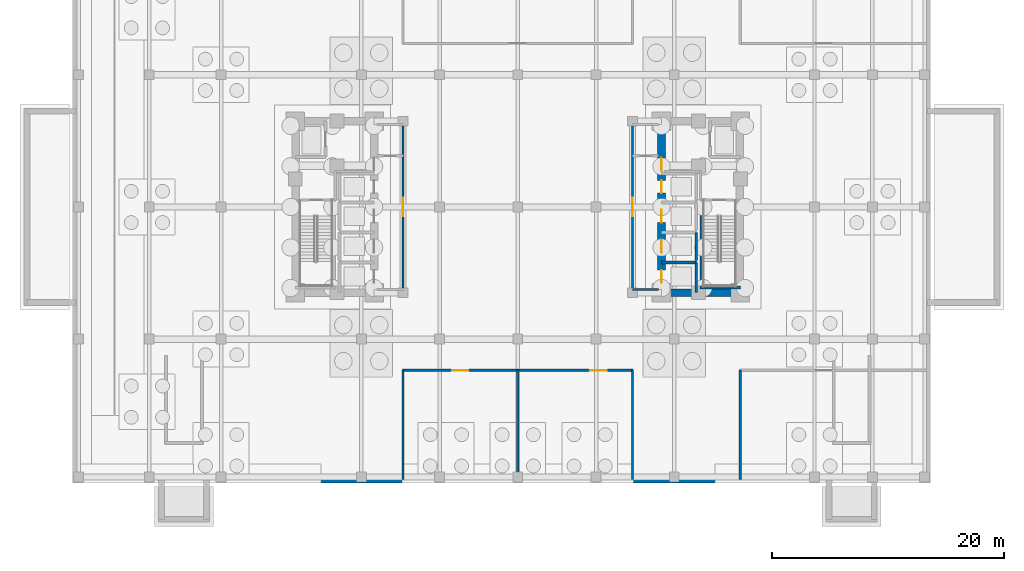
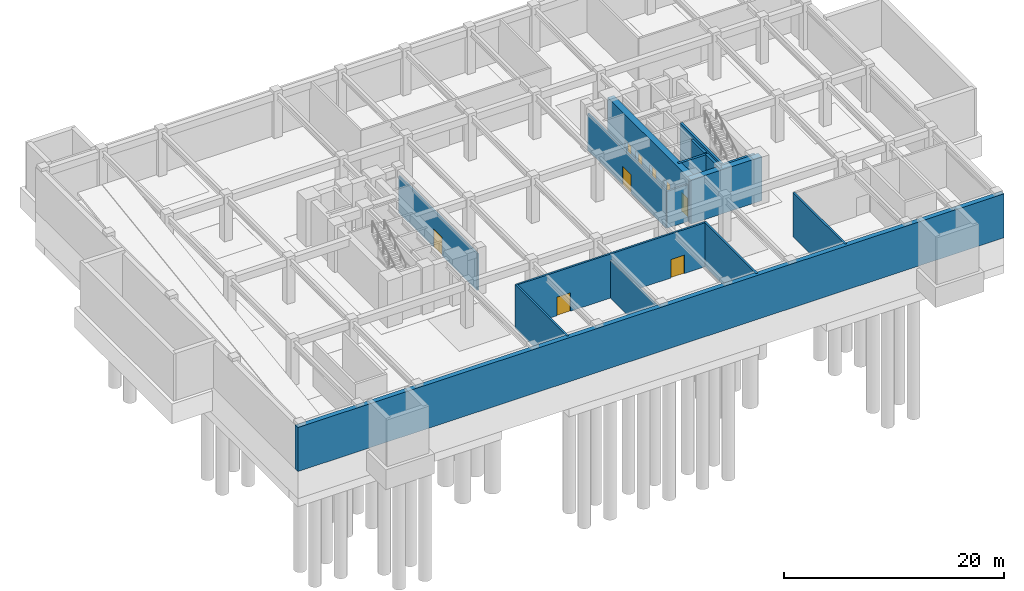
# One storey, part 6 of 11: 16 walls, 9 doors, 9 openings.
"""IFC4 building model written with IfcOpenShell, lengths in metres."""

from ifc_helpers import new_model, si_unit, direction, frame, frame_2d, origin, place, context, subcontext, project, spatial, rectangle, extrude, material, layer, layer_set, type_object, element, fill, save


model = new_model("IFC4")

# Units and contexts
model_context = context("Model", 3, precision=1e-05, world=origin(), true_north=direction((0.0, 1.0)))
body_context = subcontext(model_context, "Body", "Model", "MODEL_VIEW")
ifc_project = project(units=[si_unit("LENGTHUNIT", "METRE"), si_unit("AREAUNIT", "SQUARE_METRE"), si_unit("VOLUMEUNIT", "CUBIC_METRE"), si_unit("PLANEANGLEUNIT", "RADIAN"), si_unit("MASSUNIT", "GRAM", prefix="KILO")], contexts=[model_context])

# Site, building, storey
site_placement = place(None, origin())
site = spatial("IfcSite", under=ifc_project, at=site_placement, CompositionType="ELEMENT")
building_placement = place(site_placement, origin())
building = spatial("IfcBuilding", under=site, at=building_placement, Name="Voryun Gate Residences", CompositionType="ELEMENT")
storey_placement = place(building_placement, frame((0.0, 0.0, -10.39990234375)))
storey = spatial("IfcBuildingStorey", under=building, at=storey_placement, Name="B02", CompositionType="ELEMENT", Elevation=-10.39990234375)

# Walls
ifc_material_1 = material(Name="Concrete C50/60", Category="concrete")
ifc_layer_1 = layer(ifc_material_1, 0.5, Name="CW_BSMT_RET_500")
ifc_layer_set_1 = layer_set([ifc_layer_1], Name="Concrete C50/60")
wall_type_1 = type_object("IfcWallType", Name="CW_BSMT_RET_500", PredefinedType="USERDEFINED", material=ifc_layer_set_1)
wall_1_placement = place(storey_placement, frame((-38.39990234375, -23.550048828125, 0.0), z_axis=(0.0, 0.0, 1.0), x_axis=(1.0, 0.0, 0.0)))
element("IfcWall", 1, at=wall_1_placement, inside=storey, type_object=wall_type_1, Name="B02 Perimeter Basement Retaining Wall WRET-B02-S", ObjectType="RETAININGWALL", PredefinedType="USERDEFINED", context=body_context, shape_type="SweptSolid", body=[
    extrude(rectangle(XDim=74.0, YDim=0.5, at=frame_2d((37.0, 0.0))), origin(), (0.0, 0.0, 1.0), 4.8798828125),
])
ifc_material_2 = material(Name="Concrete C60/75", Category="concrete")
ifc_layer_2 = layer(ifc_material_2, 0.64990234375, Name="CW_CORE_650")
ifc_layer_set_2 = layer_set([ifc_layer_2], Name="Concrete C60/75")
wall_type_2 = type_object("IfcWallType", Name="CW_CORE_650", PredefinedType="SHEAR", material=ifc_layer_set_2)
wall_2_placement = place(storey_placement, frame((12.074951171875, -7.39990234375, 0.0), z_axis=(0.0, 0.0, 1.0), x_axis=(1.0, 0.0, 0.0)))
element("IfcWall", 2, at=wall_2_placement, inside=storey, type_object=wall_type_2, Name="B02 Core shear wall CW-B02-ES", PredefinedType="SHEAR", context=body_context, shape_type="SweptSolid", body=[
    extrude(rectangle(XDim=7.449951171875, YDim=0.64990234375, at=frame_2d((3.72509765625, 0.0))), origin(), (0.0, 0.0, 1.0), 4.8798828125),
])

# Wall, openings, doors
wall_3_placement = place(storey_placement, frame((12.39990234375, -7.39990234375, 0.0), z_axis=(0.0, 0.0, 1.0), x_axis=(0.0, 1.0, 0.0)))
wall_3 = element("IfcWall", 3, at=wall_3_placement, inside=storey, type_object=wall_type_2, Name="B02 Core shear wall CW-B02-EW", PredefinedType="SHEAR", context=body_context, shape_type="SweptSolid", body=[
    extrude(rectangle(XDim=14.7998046875, YDim=0.64990234375, at=frame_2d((7.39990234375, 0.0))), origin(), (0.0, 0.0, 1.0), 4.8798828125),
])
opening_1_placement = place(wall_3_placement, frame((0.85009765625, 0.0, 0.0)))
opening_1 = element("IfcOpeningElement", 4, at=opening_1_placement, cuts=wall_3, Name="Opening LD2", PredefinedType="OPENING", context=body_context, shape_type="SweptSolid", body=[
    extrude(rectangle(XDim=1.10009765625, YDim=2.050048828125, at=frame_2d((0.550048828125, 1.02490234375))), frame((0.0, 0.3349609375, 0.0), z_axis=(0.0, -1.0, 0.0), x_axis=(1.0, 0.0, 0.0)), (0.0, 0.0, 1.0), 0.669921875),
])
opening_2_placement = place(wall_3_placement, frame((3.449951171875, 0.0, 0.0)))
opening_2 = element("IfcOpeningElement", 5, at=opening_2_placement, cuts=wall_3, Name="Opening LD2", PredefinedType="OPENING", context=body_context, shape_type="SweptSolid", body=[
    extrude(rectangle(XDim=1.10009765625, YDim=2.050048828125, at=frame_2d((0.550048828125, 1.02490234375))), frame((0.0, 0.3349609375, 0.0), z_axis=(0.0, -1.0, 0.0), x_axis=(1.0, 0.0, 0.0)), (0.0, 0.0, 1.0), 0.669921875),
])
opening_3_placement = place(wall_3_placement, frame((6.050048828125, 0.0, 0.0)))
opening_3 = element("IfcOpeningElement", 6, at=opening_3_placement, cuts=wall_3, Name="Opening LD2", PredefinedType="OPENING", context=body_context, shape_type="SweptSolid", body=[
    extrude(rectangle(XDim=1.10009765625, YDim=2.050048828125, at=frame_2d((0.550048828125, 1.02490234375))), frame((0.0, 0.3349609375, 0.0), z_axis=(0.0, -1.0, 0.0), x_axis=(1.0, 0.0, 0.0)), (0.0, 0.0, 1.0), 0.669921875),
])
opening_4_placement = place(wall_3_placement, frame((8.60009765625, 0.0, 0.0)))
opening_4 = element("IfcOpeningElement", 7, at=opening_4_placement, cuts=wall_3, Name="Opening LD2", PredefinedType="OPENING", context=body_context, shape_type="SweptSolid", body=[
    extrude(rectangle(XDim=1.10009765625, YDim=2.050048828125, at=frame_2d((0.550048828125, 1.02490234375))), frame((0.0, 0.3349609375, 0.0), z_axis=(0.0, -1.0, 0.0), x_axis=(1.0, 0.0, 0.0)), (0.0, 0.0, 1.0), 0.669921875),
])
opening_5_placement = place(wall_3_placement, frame((10.530029296875, 0.0, 0.0)))
opening_5 = element("IfcOpeningElement", 8, at=opening_5_placement, cuts=wall_3, Name="Opening D-FD60-2", PredefinedType="OPENING", context=body_context, shape_type="SweptSolid", body=[
    extrude(rectangle(XDim=1.10009765625, YDim=2.050048828125, at=frame_2d((0.550048828125, 1.02490234375))), frame((0.0, 0.3349609375, 0.0), z_axis=(0.0, -1.0, 0.0), x_axis=(1.0, 0.0, 0.0)), (0.0, 0.0, 1.0), 0.669921875),
])
ifc_material_3 = material(Name="Painted steel fire door", Category="steel")
door_type_1 = type_object("IfcDoorType", Name="DR_FD60_FFLOB_1100", OperationType="NOTDEFINED", PredefinedType="DOOR", material=ifc_material_3)
door_1_placement = place(opening_5_placement, origin())
door_1 = element("IfcDoor", 9, at=door_1_placement, inside=storey, type_object=door_type_1, Name="Door DR-B02-CLOB-E", OperationType="SINGLE_SWING_RIGHT", OverallHeight=2.050048828125, OverallWidth=1.10009765625, PredefinedType="DOOR", context=body_context, shape_type="SweptSolid", body=[
    extrude(rectangle(XDim=1.10009765625, YDim=2.050048828125, at=frame_2d((0.550048828125, 1.02490234375))), frame((0.0, 0.02490234375, 0.0), z_axis=(0.0, -1.0, 0.0), x_axis=(1.0, 0.0, 0.0)), (0.0, 0.0, 1.0), 0.050048828125),
])
fill(opening_5, door_1)
ifc_material_4 = material(Name="Anodised aluminium", Category="aluminium")
door_type_2 = type_object("IfcDoorType", Name="DR_LD_PASS_1100", OperationType="NOTDEFINED", PredefinedType="DOOR", material=ifc_material_4)
door_2_placement = place(opening_1_placement, origin())
door_2 = element("IfcDoor", 10, at=door_2_placement, inside=storey, type_object=door_type_2, Name="Lift EL-P3 sliding landing door B02", OperationType="SLIDING_TO_LEFT", OverallHeight=2.050048828125, OverallWidth=1.10009765625, PredefinedType="DOOR", context=body_context, shape_type="SweptSolid", body=[
    extrude(rectangle(XDim=1.10009765625, YDim=2.050048828125, at=frame_2d((0.550048828125, 1.02490234375))), frame((0.0, 0.02490234375, 0.0), z_axis=(0.0, -1.0, 0.0), x_axis=(1.0, 0.0, 0.0)), (0.0, 0.0, 1.0), 0.050048828125),
])
fill(opening_1, door_2)
door_3_placement = place(opening_2_placement, origin())
door_3 = element("IfcDoor", 11, at=door_3_placement, inside=storey, type_object=door_type_2, Name="Lift EL-P5 sliding landing door B02", OperationType="SLIDING_TO_LEFT", OverallHeight=2.050048828125, OverallWidth=1.10009765625, PredefinedType="DOOR", context=body_context, shape_type="SweptSolid", body=[
    extrude(rectangle(XDim=1.10009765625, YDim=2.050048828125, at=frame_2d((0.550048828125, 1.02490234375))), frame((0.0, 0.02490234375, 0.0), z_axis=(0.0, -1.0, 0.0), x_axis=(1.0, 0.0, 0.0)), (0.0, 0.0, 1.0), 0.050048828125),
])
fill(opening_2, door_3)
door_4_placement = place(opening_3_placement, origin())
door_4 = element("IfcDoor", 12, at=door_4_placement, inside=storey, type_object=door_type_2, Name="Lift EL-P6 sliding landing door B02", OperationType="SLIDING_TO_LEFT", OverallHeight=2.050048828125, OverallWidth=1.10009765625, PredefinedType="DOOR", context=body_context, shape_type="SweptSolid", body=[
    extrude(rectangle(XDim=1.10009765625, YDim=2.050048828125, at=frame_2d((0.550048828125, 1.02490234375))), frame((0.0, 0.02490234375, 0.0), z_axis=(0.0, -1.0, 0.0), x_axis=(1.0, 0.0, 0.0)), (0.0, 0.0, 1.0), 0.050048828125),
])
fill(opening_3, door_4)
door_5_placement = place(opening_4_placement, origin())
door_5 = element("IfcDoor", 13, at=door_5_placement, inside=storey, type_object=door_type_2, Name="Lift EL-P8 sliding landing door B02", OperationType="SLIDING_TO_LEFT", OverallHeight=2.050048828125, OverallWidth=1.10009765625, PredefinedType="DOOR", context=body_context, shape_type="SweptSolid", body=[
    extrude(rectangle(XDim=1.10009765625, YDim=2.050048828125, at=frame_2d((0.550048828125, 1.02490234375))), frame((0.0, 0.02490234375, 0.0), z_axis=(0.0, -1.0, 0.0), x_axis=(1.0, 0.0, 0.0)), (0.0, 0.0, 1.0), 0.050048828125),
])
fill(opening_4, door_5)

# Wall
ifc_material_5 = material(Name="Gypsum acoustic fireboard")
ifc_layer_3 = layer(ifc_material_5, 0.179931640625, Name="W_CORR_RATED_180")
ifc_layer_set_3 = layer_set([ifc_layer_3], Name="Gypsum acoustic fireboard")
wall_type_3 = type_object("IfcWallType", Name="W_CORR_RATED_180", PredefinedType="PARTITIONING", material=ifc_layer_set_3)
wall_4_placement = place(storey_placement, frame((9.8798828125, -7.1201171875, 0.0), z_axis=(0.0, 0.0, 1.0), x_axis=(1.0, 0.0, 0.0)))
element("IfcWall", 14, at=wall_4_placement, inside=storey, type_object=wall_type_3, Name="Partition wall WP-B02-PLBS-E", PredefinedType="PARTITIONING", context=body_context, shape_type="SweptSolid", body=[
    extrude(rectangle(XDim=2.27001953125, YDim=0.179931640625, at=frame_2d((1.135009765625, 0.0))), origin(), (0.0, 0.0, 1.0), 4.06982421875),
])

# Wall, opening, door
wall_5_placement = place(storey_placement, frame((-9.89990234375, -7.1201171875, 0.0), z_axis=(0.0, 0.0, 1.0), x_axis=(0.0, 1.0, 0.0)))
wall_5 = element("IfcWall", 15, at=wall_5_placement, inside=storey, type_object=wall_type_3, Name="Partition wall WP-B02-PLBW", PredefinedType="PARTITIONING", context=body_context, shape_type="SweptSolid", body=[
    extrude(rectangle(XDim=14.240234375, YDim=0.179931640625, at=frame_2d((7.1201171875, 0.0))), origin(), (0.0, 0.0, 1.0), 4.06982421875),
])
opening_6_placement = place(wall_5_placement, frame((6.320068359375, 0.0, 0.0)))
opening_6 = element("IfcOpeningElement", 16, at=opening_6_placement, cuts=wall_5, Name="Opening D-FD30-1", PredefinedType="OPENING", context=body_context, shape_type="SweptSolid", body=[
    extrude(rectangle(XDim=1.60009765625, YDim=2.050048828125, at=frame_2d((0.800048828125, 1.02490234375))), frame((0.0, 0.099853515625, 0.0), z_axis=(0.0, -1.0, 0.0), x_axis=(1.0, 0.0, 0.0)), (0.0, 0.0, 1.0), 0.199951171875),
])
ifc_material_6 = material(Name="Glazed aluminium fire door", Category="aluminium")
door_type_3 = type_object("IfcDoorType", Name="DR_CORR_SMOKE_1600", OperationType="NOTDEFINED", PredefinedType="DOOR", material=ifc_material_6)
door_6_placement = place(opening_6_placement, origin())
door_6 = element("IfcDoor", 17, at=door_6_placement, inside=storey, type_object=door_type_3, Name="Door DR-B02-PLBW", OperationType="DOUBLE_DOOR_SINGLE_SWING", OverallHeight=2.050048828125, OverallWidth=1.60009765625, PredefinedType="DOOR", context=body_context, shape_type="SweptSolid", body=[
    extrude(rectangle(XDim=1.60009765625, YDim=2.050048828125, at=frame_2d((0.800048828125, 1.02490234375))), frame((0.0, 0.02490234375, 0.0), z_axis=(0.0, -1.0, 0.0), x_axis=(1.0, 0.0, 0.0)), (0.0, 0.0, 1.0), 0.050048828125),
])
fill(opening_6, door_6)

wall_6_placement = place(storey_placement, frame((9.89990234375, -7.1201171875, 0.0), z_axis=(0.0, 0.0, 1.0), x_axis=(0.0, 1.0, 0.0)))
wall_6 = element("IfcWall", 18, at=wall_6_placement, inside=storey, type_object=wall_type_3, Name="Partition wall WP-B02-PLBE", PredefinedType="PARTITIONING", context=body_context, shape_type="SweptSolid", body=[
    extrude(rectangle(XDim=14.240234375, YDim=0.179931640625, at=frame_2d((7.1201171875, 0.0))), origin(), (0.0, 0.0, 1.0), 4.06982421875),
])
opening_7_placement = place(wall_6_placement, frame((6.320068359375, 0.0, 0.0)))
opening_7 = element("IfcOpeningElement", 19, at=opening_7_placement, cuts=wall_6, Name="Opening D-FD30-1", PredefinedType="OPENING", context=body_context, shape_type="SweptSolid", body=[
    extrude(rectangle(XDim=1.60009765625, YDim=2.050048828125, at=frame_2d((0.800048828125, 1.02490234375))), frame((0.0, 0.099853515625, 0.0), z_axis=(0.0, -1.0, 0.0), x_axis=(1.0, 0.0, 0.0)), (0.0, 0.0, 1.0), 0.199951171875),
])
door_7_placement = place(opening_7_placement, origin())
door_7 = element("IfcDoor", 20, at=door_7_placement, inside=storey, type_object=door_type_3, Name="Door DR-B02-PLBE", OperationType="DOUBLE_DOOR_SINGLE_SWING", OverallHeight=2.050048828125, OverallWidth=1.60009765625, PredefinedType="DOOR", context=body_context, shape_type="SweptSolid", body=[
    extrude(rectangle(XDim=1.60009765625, YDim=2.050048828125, at=frame_2d((0.800048828125, 1.02490234375))), frame((0.0, 0.02490234375, 0.0), z_axis=(0.0, -1.0, 0.0), x_axis=(1.0, 0.0, 0.0)), (0.0, 0.0, 1.0), 0.050048828125),
])
fill(opening_7, door_7)

# Walls
ifc_material_7 = material(Name="Concrete C40/50", Category="concrete")
ifc_layer_4 = layer(ifc_material_7, 0.199951171875, Name="W_FF_LOBBY_200")
ifc_layer_set_4 = layer_set([ifc_layer_4], Name="Concrete C40/50")
wall_type_4 = type_object("IfcWallType", Name="W_FF_LOBBY_200", PredefinedType="PARTITIONING", material=ifc_layer_set_4)
wall_7_placement = place(storey_placement, frame((0.0, -23.5, 0.0), z_axis=(0.0, 0.0, 1.0), x_axis=(0.0, 1.0, 0.0)))
element("IfcWall", 21, at=wall_7_placement, inside=storey, type_object=wall_type_4, Name="Partition wall WP-B02-SDIV", PredefinedType="PARTITIONING", context=body_context, shape_type="SweptSolid", body=[
    extrude(rectangle(XDim=9.449951171875, YDim=0.199951171875, at=frame_2d((4.72509765625, 0.0))), origin(), (0.0, 0.0, 1.0), 4.169921875),
])
for number, where, z_axis, x_axis, name in (
    (22, (-9.89990234375, -23.5, 0.0), (0.0, 0.0, 1.0), (0.0, 1.0, 0.0), "Partition wall WP-B02-PLW-S"),
    (23, (9.89990234375, -23.5, 0.0), (0.0, 0.0, 1.0), (0.0, 1.0, 0.0), "Partition wall WP-B02-PLE-S"),
    (24, (19.199951171875, -23.5, 0.0), (0.0, 0.0, 1.0), (0.0, 1.0, 0.0), "Partition wall WP-B02-PLE2-S"),
):
    element("IfcWall", number, at=place(storey_placement, frame(where, z_axis=z_axis, x_axis=x_axis)), inside=storey, type_object=wall_type_4, Name=name, PredefinedType="PARTITIONING", context=body_context, shape_type="SweptSolid", body=[
        extrude(rectangle(XDim=9.449951171875, YDim=0.199951171875, at=frame_2d((4.72509765625, 0.0))), origin(), (0.0, 0.0, 1.0), 4.8798828125),
    ])

# Wall, openings, doors
wall_8_placement = place(storey_placement, frame((-9.949951171875, -14.10009765625, 0.0), z_axis=(0.0, 0.0, 1.0), x_axis=(1.0, 0.0, 0.0)))
wall_8 = element("IfcWall", 25, at=wall_8_placement, inside=storey, type_object=wall_type_4, Name="Partition wall WP-B02-PLNT-SC", PredefinedType="PARTITIONING", context=body_context, shape_type="SweptSolid", body=[
    extrude(rectangle(XDim=19.89990234375, YDim=0.199951171875, at=frame_2d((9.949951171875, 0.0))), origin(), (0.0, 0.0, 1.0), 4.8798828125),
])
opening_8_placement = place(wall_8_placement, frame((4.27490234375, 0.0, 0.0)))
opening_8 = element("IfcOpeningElement", 26, at=opening_8_placement, cuts=wall_8, Name="Opening D-FD60-3", PredefinedType="OPENING", context=body_context, shape_type="SweptSolid", body=[
    extrude(rectangle(XDim=1.39990234375, YDim=2.050048828125, at=frame_2d((0.699951171875, 1.02490234375))), frame((0.0, 0.110107421875, 0.0), z_axis=(0.0, -1.0, 0.0), x_axis=(1.0, 0.0, 0.0)), (0.0, 0.0, 1.0), 0.219970703125),
])
opening_9_placement = place(wall_8_placement, frame((16.215087890625, 0.0, 0.0)))
opening_9 = element("IfcOpeningElement", 27, at=opening_9_placement, cuts=wall_8, Name="Opening D-FD60-3", PredefinedType="OPENING", context=body_context, shape_type="SweptSolid", body=[
    extrude(rectangle(XDim=1.39990234375, YDim=2.050048828125, at=frame_2d((0.699951171875, 1.02490234375))), frame((0.0, 0.110107421875, 0.0), z_axis=(0.0, -1.0, 0.0), x_axis=(1.0, 0.0, 0.0)), (0.0, 0.0, 1.0), 0.219970703125),
])
ifc_material_8 = material(Name="Painted steel fire door", Category="steel")
door_type_4 = type_object("IfcDoorType", Name="DR_FD60_PLANT_1400", OperationType="NOTDEFINED", PredefinedType="DOOR", material=ifc_material_8)
door_8_placement = place(opening_8_placement, origin())
door_8 = element("IfcDoor", 28, at=door_8_placement, inside=storey, type_object=door_type_4, Name="Door DR-B02-PL1-S", OperationType="DOUBLE_DOOR_SINGLE_SWING", OverallHeight=2.050048828125, OverallWidth=1.39990234375, PredefinedType="DOOR", context=body_context, shape_type="SweptSolid", body=[
    extrude(rectangle(XDim=1.39990234375, YDim=2.050048828125, at=frame_2d((0.699951171875, 1.02490234375))), frame((0.0, 0.02490234375, 0.0), z_axis=(0.0, -1.0, 0.0), x_axis=(1.0, 0.0, 0.0)), (0.0, 0.0, 1.0), 0.050048828125),
])
fill(opening_8, door_8)
door_9_placement = place(opening_9_placement, origin())
door_9 = element("IfcDoor", 29, at=door_9_placement, inside=storey, type_object=door_type_4, Name="Door DR-B02-PL2-S", OperationType="SINGLE_SWING_RIGHT", OverallHeight=2.050048828125, OverallWidth=1.39990234375, PredefinedType="DOOR", context=body_context, shape_type="SweptSolid", body=[
    extrude(rectangle(XDim=1.39990234375, YDim=2.050048828125, at=frame_2d((0.699951171875, 1.02490234375))), frame((0.0, 0.02490234375, 0.0), z_axis=(0.0, -1.0, 0.0), x_axis=(1.0, 0.0, 0.0)), (0.0, 0.0, 1.0), 0.050048828125),
])
fill(opening_9, door_9)

# Walls
ifc_material_9 = material(Name="Concrete C50/60", Category="concrete")
ifc_layer_5 = layer(ifc_material_9, 0.25, Name="W_SHAFT_RC250")
ifc_layer_set_5 = layer_set([ifc_layer_5], Name="Concrete C50/60")
wall_type_5 = type_object("IfcWallType", Name="W_SHAFT_RC250", PredefinedType="SOLIDWALL", material=ifc_layer_set_5)
wall_9_placement = place(storey_placement, frame((15.860107421875, -7.0849609375, 0.0), z_axis=(0.0, 0.0, 1.0), x_axis=(0.0, 1.0, 0.0)))
element("IfcWall", 30, at=wall_9_placement, inside=storey, type_object=wall_type_5, Name="B02 Stair shaft structural wall E-STL", PredefinedType="SOLIDWALL", context=body_context, shape_type="SweptSolid", body=[
    extrude(rectangle(XDim=7.68505859375, YDim=0.25, at=frame_2d((3.842529296875, 0.0))), origin(), (0.0, 0.0, 1.0), 4.8798828125),
])
wall_10_placement = place(storey_placement, frame((15.739990234375, -6.965087890625, 0.0), z_axis=(0.0, 0.0, 1.0), x_axis=(1.0, 0.0, 0.0)))
element("IfcWall", 31, at=wall_10_placement, inside=storey, type_object=wall_type_5, Name="B02 Stair shaft structural wall E-STS", PredefinedType="SOLIDWALL", context=body_context, shape_type="SweptSolid", body=[
    extrude(rectangle(XDim=3.4599609375, YDim=0.25, at=frame_2d((1.72998046875, 0.0))), origin(), (0.0, 0.0, 1.0), 4.8798828125),
])
wall_11_placement = place(storey_placement, frame((15.39990234375, -7.39990234375, 0.0), z_axis=(0.0, 0.0, 1.0), x_axis=(0.0, 1.0, 0.0)))
element("IfcWall", 32, at=wall_11_placement, inside=storey, type_object=wall_type_5, Name="Lift shaft wall WSH-B02-EL-P3-E", PredefinedType="SOLIDWALL", context=body_context, shape_type="SweptSolid", body=[
    extrude(rectangle(XDim=2.599853515625, YDim=0.25, at=frame_2d((1.2998046875, 0.0))), origin(), (0.0, 0.0, 1.0), 4.8798828125),
])
wall_12_placement = place(storey_placement, frame((15.39990234375, -4.800048828125, 0.0), z_axis=(0.0, 0.0, 1.0), x_axis=(-1.0, 0.0, 0.0)))
element("IfcWall", 33, at=wall_12_placement, inside=storey, type_object=wall_type_5, Name="Lift shaft wall WSH-B02-EL-P3-N", PredefinedType="SOLIDWALL", context=body_context, shape_type="SweptSolid", body=[
    extrude(rectangle(XDim=3.0, YDim=0.25, at=frame_2d((1.5, 0.0))), origin(), (0.0, 0.0, 1.0), 4.8798828125),
])
wall_13_placement = place(storey_placement, frame((15.39990234375, -4.60009765625, 0.0), z_axis=(0.0, 0.0, 1.0), x_axis=(0.0, 1.0, 0.0)))
element("IfcWall", 34, at=wall_13_placement, inside=storey, type_object=wall_type_5, Name="Lift shaft wall WSH-B02-EL-P5-E", PredefinedType="SOLIDWALL", context=body_context, shape_type="SweptSolid", body=[
    extrude(rectangle(XDim=2.400146484375, YDim=0.25, at=frame_2d((1.2001953125, 0.0))), origin(), (0.0, 0.0, 1.0), 4.8798828125),
])

save(model, "model.ifc")
